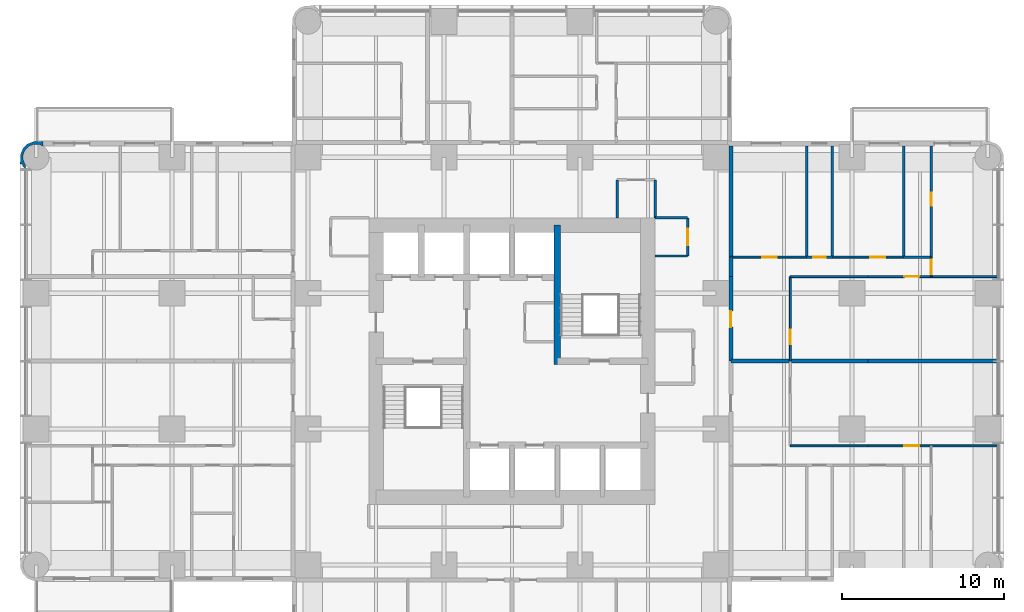
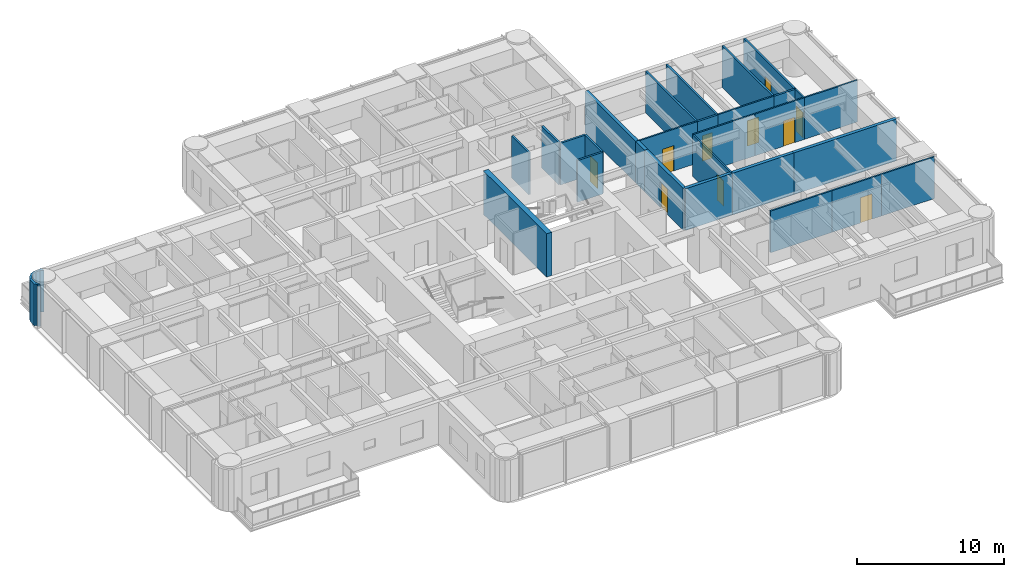
# One storey, part 10 of 14: 29 walls, 10 doors, 10 openings.
"""IFC4 building model written with IfcOpenShell, lengths in metres."""

from ifc_helpers import new_model, si_unit, direction, frame, frame_2d, origin, place, context, subcontext, project, spatial, polyline, rectangle, outline, extrude, material, layer, layer_set, type_object, element, fill, save


model = new_model("IFC4")

# Units and contexts
model_context = context("Model", 3, precision=1e-05, world=origin(), true_north=direction((0.0, 1.0)))
body_context = subcontext(model_context, "Body", "Model", "MODEL_VIEW")
ifc_project = project(units=[si_unit("LENGTHUNIT", "METRE"), si_unit("AREAUNIT", "SQUARE_METRE"), si_unit("VOLUMEUNIT", "CUBIC_METRE"), si_unit("PLANEANGLEUNIT", "RADIAN"), si_unit("MASSUNIT", "GRAM", prefix="KILO")], contexts=[model_context])

# Site, building, storey
site_placement = place(None, origin())
site = spatial("IfcSite", under=ifc_project, at=site_placement, CompositionType="ELEMENT")
building_placement = place(site_placement, origin())
building = spatial("IfcBuilding", under=site, at=building_placement, Name="Torre Alcanfor", CompositionType="ELEMENT")
storey_placement = place(building_placement, frame((0.0, 0.0, 134.10009765625)))
storey = spatial("IfcBuildingStorey", under=building, at=storey_placement, Name="L34", CompositionType="ELEMENT", Elevation=134.10009765625)

# Wall, opening, door
ifc_material_1 = material(Name="Concrete block masonry, hollow blocks NMX-C-404 9 MPa", Category="masonry")
ifc_layer_1 = layer(ifc_material_1, 0.25)
ifc_layer_set_1 = layer_set([ifc_layer_1], Name="Apartment entrance wall 250 EI 60")
wall_type_1 = type_object("IfcWallType", Name="Apartment entrance wall 250 EI 60", PredefinedType="PARTITIONING", material=ifc_layer_set_1)
wall_1_placement = place(storey_placement, frame((42.925048828125, 34.62890625, 0.0), z_axis=(0.0, 0.0, 1.0), x_axis=(0.0, -1.0, 0.0)))
wall_1 = element("IfcWall", 1, at=wall_1_placement, inside=storey, type_object=wall_type_1, Name="Partition L34-CORR / L34-E1-ZAG", PredefinedType="PARTITIONING", context=body_context, shape_type="SweptSolid", body=[
    extrude(rectangle(XDim=5.22900390625, YDim=0.25, at=frame_2d((2.614501953125, 0.0))), origin(), (0.0, 0.0, 1.0), 3.449951171875),
])
opening_1_placement = place(wall_1_placement, frame((2.12890625, 0.0, 0.0)))
opening_1 = element("IfcOpeningElement", 2, at=opening_1_placement, cuts=wall_1, Name="Opening D-A1", PredefinedType="OPENING", context=body_context, shape_type="SweptSolid", body=[
    extrude(rectangle(XDim=1.0, YDim=2.10009765625, at=frame_2d((0.5, 1.050048828125))), frame((0.0, 0.135009765625, 0.0), z_axis=(0.0, -1.0, 0.0), x_axis=(1.0, 0.0, 0.0)), (0.0, 0.0, 1.0), 0.27001953125),
])
ifc_material_2 = material(Name="Galvanised steel sheet ASTM A653", Category="steel")
door_type_1 = type_object("IfcDoorType", Name="Apartment entrance door FD60 1000x2100", OperationType="SINGLE_SWING_LEFT", PredefinedType="DOOR", material=ifc_material_2)
door_1_placement = place(opening_1_placement, origin())
door_1 = element("IfcDoor", 3, at=door_1_placement, inside=storey, type_object=door_type_1, Name="Apartment entrance L34-E1", OperationType="SINGLE_SWING_RIGHT", OverallHeight=2.10009765625, OverallWidth=1.0, PredefinedType="DOOR", context=body_context, shape_type="SweptSolid", body=[
    extrude(rectangle(XDim=1.0, YDim=2.10009765625, at=frame_2d((0.5, 1.050048828125))), frame((0.0, 0.02490234375, 0.0), z_axis=(0.0, -1.0, 0.0), x_axis=(1.0, 0.0, 0.0)), (0.0, 0.0, 1.0), 0.050048828125),
])
fill(opening_1, door_1)

# Walls
wall_2_placement = place(storey_placement, frame((42.925048828125, 35.8291015625, 0.0), z_axis=(0.0, 0.0, 1.0), x_axis=(0.0, -1.0, 0.0)))
element("IfcWall", 4, at=wall_2_placement, inside=storey, type_object=wall_type_1, Name="Partition L34-CORR / L34-E1-HALL", PredefinedType="PARTITIONING", context=body_context, shape_type="SweptSolid", body=[
    extrude(rectangle(XDim=1.2001953125, YDim=0.25, at=frame_2d((0.60009765625, 0.0))), origin(), (0.0, 0.0, 1.0), 3.449951171875),
])
wall_3_placement = place(storey_placement, frame((42.925048828125, 42.699951171875, 0.0), z_axis=(0.0, 0.0, 1.0), x_axis=(0.0, -1.0, 0.0)))
element("IfcWall", 5, at=wall_3_placement, inside=storey, type_object=wall_type_1, Name="Partition L34-CORR / L34-E1-BED3", PredefinedType="PARTITIONING", context=body_context, shape_type="SweptSolid", body=[
    extrude(rectangle(XDim=6.870849609375, YDim=0.25, at=frame_2d((3.435546875, 0.0))), origin(), (0.0, 0.0, 1.0), 3.449951171875),
])

# Wall, opening, door
ifc_material_3 = material(Name="Gypsum board on steel studs", Category="steel")
ifc_layer_2 = layer(ifc_material_3, 0.1201171875)
ifc_layer_set_2 = layer_set([ifc_layer_2], Name="Apartment partition 120")
wall_type_2 = type_object("IfcWallType", Name="Apartment partition 120", PredefinedType="PARTITIONING", material=ifc_layer_set_2)
wall_4_placement = place(storey_placement, frame((46.60009765625, 29.39990234375, 0.0), z_axis=(0.0, 0.0, 1.0), x_axis=(0.0, 1.0, 0.0)))
wall_4 = element("IfcWall", 6, at=wall_4_placement, inside=storey, type_object=wall_type_2, Name="Partition L34-E1-ZAG / L34-E1-KITCHEN", PredefinedType="PARTITIONING", context=body_context, shape_type="SweptSolid", body=[
    extrude(rectangle(XDim=5.22900390625, YDim=0.1201171875, at=frame_2d((2.614501953125, 0.0))), origin(), (0.0, 0.0, 1.0), 3.449951171875),
])
opening_2_placement = place(wall_4_placement, frame((1.050048828125, 0.0, 0.0)))
opening_2 = element("IfcOpeningElement", 7, at=opening_2_placement, cuts=wall_4, Name="Opening D-R1", PredefinedType="OPENING", context=body_context, shape_type="SweptSolid", body=[
    extrude(rectangle(XDim=0.89990234375, YDim=2.10009765625, at=frame_2d((0.449951171875, 1.050048828125))), frame((0.0, 0.070068359375, 0.0), z_axis=(0.0, -1.0, 0.0), x_axis=(1.0, 0.0, 0.0)), (0.0, 0.0, 1.0), 0.14013671875),
])
ifc_material_4 = material(Name="Timber", Category="wood")
door_type_2 = type_object("IfcDoorType", Name="Internal door 900x2100", OperationType="SINGLE_SWING_LEFT", PredefinedType="DOOR", material=ifc_material_4)
door_2_placement = place(opening_2_placement, frame((0.89990234375, 0.0, 0.0), z_axis=(0.0, 0.0, 1.0), x_axis=(-1.0, 0.0, 0.0)))
door_2 = element("IfcDoor", 8, at=door_2_placement, inside=storey, type_object=door_type_2, Name="Door L34-E1 kitchen", OperationType="SINGLE_SWING_RIGHT", OverallHeight=2.10009765625, OverallWidth=0.89990234375, PredefinedType="DOOR", context=body_context, shape_type="SweptSolid", body=[
    extrude(rectangle(XDim=0.89990234375, YDim=2.10009765625, at=frame_2d((0.449951171875, 1.050048828125))), frame((0.0, 0.025146484375, 0.0), z_axis=(0.0, -1.0, 0.0), x_axis=(1.0, 0.0, 0.0)), (0.0, 0.0, 1.0), 0.050048828125),
])
fill(opening_2, door_2)

# Wall
wall_5_placement = place(storey_placement, frame((51.39990234375, 34.62890625, 0.0), z_axis=(0.0, 0.0, 1.0), x_axis=(-1.0, 0.0, 0.0)))
element("IfcWall", 9, at=wall_5_placement, inside=storey, type_object=wall_type_2, Name="Partition L34-E1-KITCHEN / L34-E1-HALL", PredefinedType="PARTITIONING", context=body_context, shape_type="SweptSolid", body=[
    extrude(rectangle(XDim=4.7998046875, YDim=0.1201171875, at=frame_2d((2.39990234375, 0.0))), origin(), (0.0, 0.0, 1.0), 3.449951171875),
])

# Wall, opening, door
wall_6_placement = place(storey_placement, frame((55.300048828125, 34.62890625, 0.0), z_axis=(0.0, 0.0, 1.0), x_axis=(-1.0, 0.0, 0.0)))
wall_6 = element("IfcWall", 10, at=wall_6_placement, inside=storey, type_object=wall_type_2, Name="Partition L34-E1-LIVING / L34-E1-HALL", PredefinedType="PARTITIONING", context=body_context, shape_type="SweptSolid", body=[
    extrude(rectangle(XDim=3.900146484375, YDim=0.1201171875, at=frame_2d((1.9501953125, 0.0))), origin(), (0.0, 0.0, 1.0), 3.449951171875),
])
opening_3_placement = place(wall_6_placement, frame((0.75, 0.0, 0.0)))
opening_3 = element("IfcOpeningElement", 11, at=opening_3_placement, cuts=wall_6, Name="Opening D-R1", PredefinedType="OPENING", context=body_context, shape_type="SweptSolid", body=[
    extrude(rectangle(XDim=0.89990234375, YDim=2.10009765625, at=frame_2d((0.449951171875, 1.050048828125))), frame((0.0, 0.070068359375, 0.0), z_axis=(0.0, -1.0, 0.0), x_axis=(1.0, 0.0, 0.0)), (0.0, 0.0, 1.0), 0.14013671875),
])
door_3_placement = place(opening_3_placement, origin())
door_3 = element("IfcDoor", 12, at=door_3_placement, inside=storey, type_object=door_type_2, Name="Door L34-E1 living", OperationType="SINGLE_SWING_RIGHT", OverallHeight=2.10009765625, OverallWidth=0.89990234375, PredefinedType="DOOR", context=body_context, shape_type="SweptSolid", body=[
    extrude(rectangle(XDim=0.89990234375, YDim=2.10009765625, at=frame_2d((0.449951171875, 1.050048828125))), frame((0.0, 0.02490234375, 0.0), z_axis=(0.0, -1.0, 0.0), x_axis=(1.0, 0.0, 0.0)), (0.0, 0.0, 1.0), 0.050048828125),
])
fill(opening_3, door_3)

# Wall
wall_7_placement = place(storey_placement, frame((59.449951171875, 34.62890625, 0.0), z_axis=(0.0, 0.0, 1.0), x_axis=(-1.0, 0.0, 0.0)))
element("IfcWall", 13, at=wall_7_placement, inside=storey, type_object=wall_type_2, Name="Partition L34-E1-LIVING / L34-E1-MASTER", PredefinedType="PARTITIONING", context=body_context, shape_type="SweptSolid", body=[
    extrude(rectangle(XDim=4.14990234375, YDim=0.1201171875, at=frame_2d((2.074951171875, 0.0))), origin(), (0.0, 0.0, 1.0), 3.449951171875),
])

# Wall, opening, door
wall_8_placement = place(storey_placement, frame((47.60009765625, 35.8291015625, 0.0), z_axis=(0.0, 0.0, 1.0), x_axis=(-1.0, 0.0, 0.0)))
wall_8 = element("IfcWall", 14, at=wall_8_placement, inside=storey, type_object=wall_type_2, Name="Partition L34-E1-HALL / L34-E1-BED3", PredefinedType="PARTITIONING", context=body_context, shape_type="SweptSolid", body=[
    extrude(rectangle(XDim=4.675048828125, YDim=0.1201171875, at=frame_2d((2.33740234375, 0.0))), origin(), (0.0, 0.0, 1.0), 3.449951171875),
])
opening_4_placement = place(wall_8_placement, frame((1.85009765625, 0.0, 0.0)))
opening_4 = element("IfcOpeningElement", 15, at=opening_4_placement, cuts=wall_8, Name="Opening D-R1", PredefinedType="OPENING", context=body_context, shape_type="SweptSolid", body=[
    extrude(rectangle(XDim=0.89990234375, YDim=2.10009765625, at=frame_2d((0.449951171875, 1.050048828125))), frame((0.0, 0.070068359375, 0.0), z_axis=(0.0, -1.0, 0.0), x_axis=(1.0, 0.0, 0.0)), (0.0, 0.0, 1.0), 0.14013671875),
])
door_4_placement = place(opening_4_placement, frame((0.89990234375, 0.0, 0.0), z_axis=(0.0, 0.0, 1.0), x_axis=(-1.0, 0.0, 0.0)))
door_4 = element("IfcDoor", 16, at=door_4_placement, inside=storey, type_object=door_type_2, Name="Door L34-E1 bed3", OperationType="SINGLE_SWING_RIGHT", OverallHeight=2.10009765625, OverallWidth=0.89990234375, PredefinedType="DOOR", context=body_context, shape_type="SweptSolid", body=[
    extrude(rectangle(XDim=0.89990234375, YDim=2.10009765625, at=frame_2d((0.449951171875, 1.050048828125))), frame((0.0, 0.025146484375, 0.0), z_axis=(0.0, -1.0, 0.0), x_axis=(1.0, 0.0, 0.0)), (0.0, 0.0, 1.0), 0.050048828125),
])
fill(opening_4, door_4)

wall_9_placement = place(storey_placement, frame((53.60009765625, 35.8291015625, 0.0), z_axis=(0.0, 0.0, 1.0), x_axis=(-1.0, 0.0, 0.0)))
wall_9 = element("IfcWall", 17, at=wall_9_placement, inside=storey, type_object=wall_type_2, Name="Partition L34-E1-HALL / L34-E1-BED2", PredefinedType="PARTITIONING", context=body_context, shape_type="SweptSolid", body=[
    extrude(rectangle(XDim=4.400146484375, YDim=0.1201171875, at=frame_2d((2.2001953125, 0.0))), origin(), (0.0, 0.0, 1.0), 3.449951171875),
])
opening_5_placement = place(wall_9_placement, frame((1.14990234375, 0.0, 0.0)))
opening_5 = element("IfcOpeningElement", 18, at=opening_5_placement, cuts=wall_9, Name="Opening D-R1", PredefinedType="OPENING", context=body_context, shape_type="SweptSolid", body=[
    extrude(rectangle(XDim=0.89990234375, YDim=2.10009765625, at=frame_2d((0.449951171875, 1.050048828125))), frame((0.0, 0.070068359375, 0.0), z_axis=(0.0, -1.0, 0.0), x_axis=(1.0, 0.0, 0.0)), (0.0, 0.0, 1.0), 0.14013671875),
])
door_5_placement = place(opening_5_placement, frame((0.89990234375, 0.0, 0.0), z_axis=(0.0, 0.0, 1.0), x_axis=(-1.0, 0.0, 0.0)))
door_5 = element("IfcDoor", 19, at=door_5_placement, inside=storey, type_object=door_type_2, Name="Door L34-E1 bed2", OperationType="SINGLE_SWING_RIGHT", OverallHeight=2.10009765625, OverallWidth=0.89990234375, PredefinedType="DOOR", context=body_context, shape_type="SweptSolid", body=[
    extrude(rectangle(XDim=0.89990234375, YDim=2.10009765625, at=frame_2d((0.449951171875, 1.050048828125))), frame((0.0, 0.025146484375, 0.0), z_axis=(0.0, -1.0, 0.0), x_axis=(1.0, 0.0, 0.0)), (0.0, 0.0, 1.0), 0.050048828125),
])
fill(opening_5, door_5)

wall_10_placement = place(storey_placement, frame((55.300048828125, 34.62890625, 0.0), z_axis=(0.0, 0.0, 1.0), x_axis=(0.0, 1.0, 0.0)))
wall_10 = element("IfcWall", 20, at=wall_10_placement, inside=storey, type_object=wall_type_2, Name="Partition L34-E1-HALL / L34-E1-MASTER", PredefinedType="PARTITIONING", context=body_context, shape_type="SweptSolid", body=[
    extrude(rectangle(XDim=1.2001953125, YDim=0.1201171875, at=frame_2d((0.60009765625, 0.0))), origin(), (0.0, 0.0, 1.0), 3.449951171875),
])
opening_6_placement = place(wall_10_placement, frame((0.15087890625, 0.0, 0.0)))
opening_6 = element("IfcOpeningElement", 21, at=opening_6_placement, cuts=wall_10, Name="Opening D-R1", PredefinedType="OPENING", context=body_context, shape_type="SweptSolid", body=[
    extrude(rectangle(XDim=0.89990234375, YDim=2.10009765625, at=frame_2d((0.449951171875, 1.050048828125))), frame((0.0, 0.070068359375, 0.0), z_axis=(0.0, -1.0, 0.0), x_axis=(1.0, 0.0, 0.0)), (0.0, 0.0, 1.0), 0.14013671875),
])
door_6_placement = place(opening_6_placement, frame((0.89990234375, 0.0, 0.0), z_axis=(0.0, 0.0, 1.0), x_axis=(-1.0, 0.0, 0.0)))
door_6 = element("IfcDoor", 22, at=door_6_placement, inside=storey, type_object=door_type_2, Name="Door L34-E1 master", OperationType="SINGLE_SWING_RIGHT", OverallHeight=2.10009765625, OverallWidth=0.89990234375, PredefinedType="DOOR", context=body_context, shape_type="SweptSolid", body=[
    extrude(rectangle(XDim=0.89990234375, YDim=2.10009765625, at=frame_2d((0.449951171875, 1.050048828125))), frame((0.0, 0.025146484375, 0.0), z_axis=(0.0, -1.0, 0.0), x_axis=(1.0, 0.0, 0.0)), (0.0, 0.0, 1.0), 0.050048828125),
])
fill(opening_6, door_6)

# Wall
wall_11_placement = place(storey_placement, frame((51.39990234375, 24.1708984375, 0.0), z_axis=(0.0, 0.0, 1.0), x_axis=(-1.0, 0.0, 0.0)))
element("IfcWall", 23, at=wall_11_placement, inside=storey, type_object=wall_type_2, Name="Partition L34-E2-KITCHEN / L34-E2-HALL", PredefinedType="PARTITIONING", context=body_context, shape_type="SweptSolid", body=[
    extrude(rectangle(XDim=4.7998046875, YDim=0.1201171875, at=frame_2d((2.39990234375, 0.0))), origin(), (0.0, 0.0, 1.0), 3.449951171875),
])

# Wall, opening, door
wall_12_placement = place(storey_placement, frame((55.300048828125, 24.1708984375, 0.0), z_axis=(0.0, 0.0, 1.0), x_axis=(-1.0, 0.0, 0.0)))
wall_12 = element("IfcWall", 24, at=wall_12_placement, inside=storey, type_object=wall_type_2, Name="Partition L34-E2-LIVING / L34-E2-HALL", PredefinedType="PARTITIONING", context=body_context, shape_type="SweptSolid", body=[
    extrude(rectangle(XDim=3.900146484375, YDim=0.1201171875, at=frame_2d((1.9501953125, 0.0))), origin(), (0.0, 0.0, 1.0), 3.449951171875),
])
opening_7_placement = place(wall_12_placement, frame((0.75, 0.0, 0.0)))
opening_7 = element("IfcOpeningElement", 25, at=opening_7_placement, cuts=wall_12, Name="Opening D-R1", PredefinedType="OPENING", context=body_context, shape_type="SweptSolid", body=[
    extrude(rectangle(XDim=0.89990234375, YDim=2.10009765625, at=frame_2d((0.449951171875, 1.050048828125))), frame((0.0, 0.070068359375, 0.0), z_axis=(0.0, -1.0, 0.0), x_axis=(1.0, 0.0, 0.0)), (0.0, 0.0, 1.0), 0.14013671875),
])
door_7_placement = place(opening_7_placement, frame((0.89990234375, 0.0, 0.0), z_axis=(0.0, 0.0, 1.0), x_axis=(-1.0, 0.0, 0.0)))
door_7 = element("IfcDoor", 26, at=door_7_placement, inside=storey, type_object=door_type_2, Name="Door L34-E2 living", OperationType="SINGLE_SWING_LEFT", OverallHeight=2.10009765625, OverallWidth=0.89990234375, PredefinedType="DOOR", context=body_context, shape_type="SweptSolid", body=[
    extrude(rectangle(XDim=0.89990234375, YDim=2.10009765625, at=frame_2d((0.449951171875, 1.050048828125))), frame((0.0, 0.025146484375, 0.0), z_axis=(0.0, -1.0, 0.0), x_axis=(1.0, 0.0, 0.0)), (0.0, 0.0, 1.0), 0.050048828125),
])
fill(opening_7, door_7)

# Walls
wall_13_placement = place(storey_placement, frame((59.449951171875, 24.1708984375, 0.0), z_axis=(0.0, 0.0, 1.0), x_axis=(-1.0, 0.0, 0.0)))
element("IfcWall", 27, at=wall_13_placement, inside=storey, type_object=wall_type_2, Name="Partition L34-E2-LIVING / L34-E2-MASTER", PredefinedType="PARTITIONING", context=body_context, shape_type="SweptSolid", body=[
    extrude(rectangle(XDim=4.14990234375, YDim=0.1201171875, at=frame_2d((2.074951171875, 0.0))), origin(), (0.0, 0.0, 1.0), 3.449951171875),
])
ifc_material_5 = material(Name="Concrete f'c 70 MPa", Category="concrete")
ifc_layer_3 = layer(ifc_material_5, 0.39990234375)
ifc_layer_set_3 = layer_set([ifc_layer_3], Name="Core inner wall 400 f'c70")
wall_type_3 = type_object("IfcWallType", Name="Core inner wall 400 f'c70", PredefinedType="SHEAR", material=ifc_layer_set_3)
wall_14_placement = place(storey_placement, frame((32.199951171875, 29.199951171875, 0.0), z_axis=(0.0, 0.0, 1.0), x_axis=(0.0, 1.0, 0.0)))
element("IfcWall", 28, at=wall_14_placement, inside=storey, type_object=wall_type_3, Name="Core wall X322N L34", PredefinedType="SHEAR", context=body_context, shape_type="SweptSolid", body=[
    extrude(rectangle(XDim=8.60009765625, YDim=0.39990234375, at=frame_2d((4.300048828125, 0.0))), origin(), (0.0, 0.0, 1.0), 3.599853515625),
])
ifc_material_6 = material(Name="Concrete block masonry, hollow blocks NMX-C-404 9 MPa", Category="masonry")
ifc_layer_4 = layer(ifc_material_6, 0.25)
ifc_layer_set_4 = layer_set([ifc_layer_4], Name="Party wall 250 EI 60")
wall_type_4 = type_object("IfcWallType", Name="Party wall 250 EI 60", PredefinedType="PARTITIONING", material=ifc_layer_set_4)
wall_15_placement = place(storey_placement, frame((42.925048828125, 29.39990234375, 0.0), z_axis=(0.0, 0.0, 1.0), x_axis=(1.0, 0.0, 0.0)))
element("IfcWall", 29, at=wall_15_placement, inside=storey, type_object=wall_type_4, Name="Partition L34-E1-ZAG / L34-E2-ZAG", PredefinedType="PARTITIONING", context=body_context, shape_type="SweptSolid", body=[
    extrude(rectangle(XDim=3.675048828125, YDim=0.25, at=frame_2d((1.83740234375, 0.0))), origin(), (0.0, 0.0, 1.0), 3.449951171875),
])
wall_16_placement = place(storey_placement, frame((46.60009765625, 29.39990234375, 0.0), z_axis=(0.0, 0.0, 1.0), x_axis=(1.0, 0.0, 0.0)))
element("IfcWall", 30, at=wall_16_placement, inside=storey, type_object=wall_type_4, Name="Partition L34-E1-KITCHEN / L34-E2-KITCHEN", PredefinedType="PARTITIONING", context=body_context, shape_type="SweptSolid", body=[
    extrude(rectangle(XDim=4.7998046875, YDim=0.25, at=frame_2d((2.39990234375, 0.0))), origin(), (0.0, 0.0, 1.0), 3.449951171875),
])
wall_17_placement = place(storey_placement, frame((51.39990234375, 29.39990234375, 0.0), z_axis=(0.0, 0.0, 1.0), x_axis=(1.0, 0.0, 0.0)))
element("IfcWall", 31, at=wall_17_placement, inside=storey, type_object=wall_type_4, Name="Partition L34-E1-LIVING / L34-E2-LIVING", PredefinedType="PARTITIONING", context=body_context, shape_type="SweptSolid", body=[
    extrude(rectangle(XDim=8.050048828125, YDim=0.25, at=frame_2d((4.02490234375, 0.0))), origin(), (0.0, 0.0, 1.0), 3.449951171875),
])
ifc_material_7 = material(Name="Concrete block masonry, hollow blocks NMX-C-404 9 MPa", Category="masonry")
ifc_layer_5 = layer(ifc_material_7, 0.14990234375)
ifc_layer_set_5 = layer_set([ifc_layer_5], Name="Residents' room partition 150")
wall_type_5 = type_object("IfcWallType", Name="Residents' room partition 150", PredefinedType="PARTITIONING", material=ifc_layer_set_5)
for number, where, z_axis, x_axis, name in (
    (32, (38.25, 38.25, 0.0), (0.0, 0.0, 1.0), (0.0, 1.0, 0.0), "Partition L34-CORR / L34-G01"),
    (33, (35.89990234375, 40.60009765625, 0.0), (0.0, 0.0, 1.0), (0.0, -1.0, 0.0), "Partition L34-CORR / L34-G01"),
):
    element("IfcWall", number, at=place(storey_placement, frame(where, z_axis=z_axis, x_axis=x_axis)), inside=storey, type_object=wall_type_5, Name=name, PredefinedType="PARTITIONING", context=body_context, shape_type="SweptSolid", body=[
        extrude(rectangle(XDim=2.35009765625, YDim=0.14990234375, at=frame_2d((1.175048828125, 0.0))), origin(), (0.0, 0.0, 1.0), 3.449951171875),
    ])
wall_18_placement = place(storey_placement, frame((38.25, 35.89990234375, 0.0), z_axis=(0.0, 0.0, 1.0), x_axis=(1.0, 0.0, 0.0)))
element("IfcWall", 34, at=wall_18_placement, inside=storey, type_object=wall_type_5, Name="Partition L34-CORR / L34-G03", PredefinedType="PARTITIONING", context=body_context, shape_type="SweptSolid", body=[
    extrude(rectangle(XDim=2.0, YDim=0.14990234375, at=frame_2d((1.0, 0.0))), origin(), (0.0, 0.0, 1.0), 3.449951171875),
])

# Wall, opening, door
wall_19_placement = place(storey_placement, frame((40.25, 35.89990234375, 0.0), z_axis=(0.0, 0.0, 1.0), x_axis=(0.0, 1.0, 0.0)))
wall_19 = element("IfcWall", 35, at=wall_19_placement, inside=storey, type_object=wall_type_5, Name="Partition L34-CORR / L34-G03", PredefinedType="PARTITIONING", context=body_context, shape_type="SweptSolid", body=[
    extrude(rectangle(XDim=2.35009765625, YDim=0.14990234375, at=frame_2d((1.175048828125, 0.0))), origin(), (0.0, 0.0, 1.0), 3.449951171875),
])
opening_8_placement = place(wall_19_placement, frame((0.675048828125, 0.0, 0.0)))
opening_8 = element("IfcOpeningElement", 36, at=opening_8_placement, cuts=wall_19, Name="Opening D-M1", PredefinedType="OPENING", context=body_context, shape_type="SweptSolid", body=[
    extrude(rectangle(XDim=1.0, YDim=2.10009765625, at=frame_2d((0.5, 1.050048828125))), frame((0.0, 0.0849609375, 0.0), z_axis=(0.0, -1.0, 0.0), x_axis=(1.0, 0.0, 0.0)), (0.0, 0.0, 1.0), 0.169921875),
])
ifc_material_8 = material(Name="Timber", Category="wood")
door_type_3 = type_object("IfcDoorType", Name="Residents' room door 1000x2100", OperationType="SINGLE_SWING_LEFT", PredefinedType="DOOR", material=ifc_material_8)
door_8_placement = place(opening_8_placement, origin())
door_8 = element("IfcDoor", 37, at=door_8_placement, inside=storey, type_object=door_type_3, Name="Door L34-G03 residents' storage lockers", OperationType="SINGLE_SWING_LEFT", OverallHeight=2.10009765625, OverallWidth=1.0, PredefinedType="DOOR", context=body_context, shape_type="SweptSolid", body=[
    extrude(rectangle(XDim=1.0, YDim=2.10009765625, at=frame_2d((0.5, 1.050048828125))), frame((0.0, 0.02490234375, 0.0), z_axis=(0.0, -1.0, 0.0), x_axis=(1.0, 0.0, 0.0)), (0.0, 0.0, 1.0), 0.050048828125),
])
fill(opening_8, door_8)

# Walls
wall_20_placement = place(storey_placement, frame((40.25, 38.25, 0.0), z_axis=(0.0, 0.0, 1.0), x_axis=(-1.0, 0.0, 0.0)))
element("IfcWall", 38, at=wall_20_placement, inside=storey, type_object=wall_type_5, Name="Partition L34-CORR / L34-G03", PredefinedType="PARTITIONING", context=body_context, shape_type="SweptSolid", body=[
    extrude(rectangle(XDim=2.0, YDim=0.14990234375, at=frame_2d((1.0, 0.0))), origin(), (0.0, 0.0, 1.0), 3.449951171875),
])
ifc_material_9 = material(Name="Limestone cladding", Category="masonry")
ifc_layer_6 = layer(ifc_material_9, 0.0400390625, Name="Facing")
ifc_material_10 = material(Name="Ventilated air cavity")
ifc_layer_7 = layer(ifc_material_10, 0.02001953125, ventilated=True, Name="Ventilated joint")
ifc_material_11 = material(Name="Mineral wool insulation", Category="insulation")
ifc_layer_8 = layer(ifc_material_11, 0.10009765625, Name="Insulation")
ifc_material_12 = material(Name="Concrete f'c 35 MPa", Category="concrete")
ifc_layer_9 = layer(ifc_material_12, 0.139892578125, Name="Backing")
ifc_layer_set_6 = layer_set([ifc_layer_6, ifc_layer_7, ifc_layer_8, ifc_layer_9], Name="Rounded corner pier stone-clad 300")
wall_type_6 = type_object("IfcWallType", Name="Rounded corner pier stone-clad 300", PredefinedType="SOLIDWALL", material=ifc_layer_set_6)
wall_21_placement = place(storey_placement, frame((0.326823795, 42.817059488, 0.0), z_axis=(0.0, 0.0, 1.0), x_axis=(-0.93923434088, 0.343276641956, 0.0)))
element("IfcWall", 39, at=wall_21_placement, inside=storey, type_object=wall_type_6, Name="Corner pier L34 13", PredefinedType="SOLIDWALL", context=body_context, shape_type="SweptSolid", body=[
    extrude(outline(polyline([(-0.005838677930572508, -0.19691017002240385), (0.2656725893480827, -0.05504723679548061), (0.5353355739365452, 0.04351070532859805), (0.8164808166219237, 0.3019667887790936), (0.9774010351300944, 0.6482698031873169), (0.9936526519661447, 1.0298167590229048), (0.8950947098420661, 1.2994797436113674), (0.8284439015683875, 1.5984799607341533), (0.6967504599124257, 1.5690632792769885), (0.6041212101125378, 1.6695954267902182), (0.39402236502400456, 1.7672242392847775), (0.4711255170258348, 1.5562634010012864), (0.5086990809760941, 1.538803702790635), (0.7241945805605172, 1.30408163961566), (0.8334799177457201, 1.0050675818747117), (0.8201287688443563, 0.6867053603325339), (0.6856890926223405, 0.3973889179155373), (0.4509670294473655, 0.1818934183311141), (0.15195297170641725, 0.07260808114591123), (-0.11630424425966698, 0.08399689688883538), (-0.12741215805145528, 0.07811756360614214), (-0.14598588403076265, 0.07132913391902448), (-0.005838677930572508, -0.19691017002240385)])), origin(), (0.0, 0.0, 1.0), 3.449951171875),
])

# Wall, opening, door
ifc_material_13 = material(Name="Cement board on steel studs", Category="steel")
ifc_layer_10 = layer(ifc_material_13, 0.14990234375)
ifc_layer_set_7 = layer_set([ifc_layer_10], Name="Wet area partition 150")
wall_type_7 = type_object("IfcWallType", Name="Wet area partition 150", PredefinedType="PARTITIONING", material=ifc_layer_set_7)
wall_22_placement = place(storey_placement, frame((49.199951171875, 35.8291015625, 0.0), z_axis=(0.0, 0.0, 1.0), x_axis=(-1.0, 0.0, 0.0)))
wall_22 = element("IfcWall", 40, at=wall_22_placement, inside=storey, type_object=wall_type_7, Name="Partition L34-E1-HALL / L34-E1-BATH1", PredefinedType="PARTITIONING", context=body_context, shape_type="SweptSolid", body=[
    extrude(rectangle(XDim=1.599853515625, YDim=0.14990234375, at=frame_2d((0.7998046875, 0.0))), origin(), (0.0, 0.0, 1.0), 3.449951171875),
])
opening_9_placement = place(wall_22_placement, frame((0.39990234375, 0.0, 0.0)))
opening_9 = element("IfcOpeningElement", 41, at=opening_9_placement, cuts=wall_22, Name="Opening D-R2", PredefinedType="OPENING", context=body_context, shape_type="SweptSolid", body=[
    extrude(rectangle(XDim=0.800048828125, YDim=2.10009765625, at=frame_2d((0.39990234375, 1.050048828125))), frame((0.0, 0.0849609375, 0.0), z_axis=(0.0, -1.0, 0.0), x_axis=(1.0, 0.0, 0.0)), (0.0, 0.0, 1.0), 0.169921875),
])
ifc_material_14 = material(Name="Timber", Category="wood")
door_type_4 = type_object("IfcDoorType", Name="Bathroom door 800x2100", OperationType="SINGLE_SWING_LEFT", PredefinedType="DOOR", material=ifc_material_14)
door_9_placement = place(opening_9_placement, frame((0.800048828125, 0.0, 0.0), z_axis=(0.0, 0.0, 1.0), x_axis=(-1.0, 0.0, 0.0)))
door_9 = element("IfcDoor", 42, at=door_9_placement, inside=storey, type_object=door_type_4, Name="Door L34-E1 bath1", OperationType="SINGLE_SWING_RIGHT", OverallHeight=2.10009765625, OverallWidth=0.800048828125, PredefinedType="DOOR", context=body_context, shape_type="SweptSolid", body=[
    extrude(rectangle(XDim=0.800048828125, YDim=2.10009765625, at=frame_2d((0.400146484375, 1.050048828125))), frame((0.0, 0.025146484375, 0.0), z_axis=(0.0, -1.0, 0.0), x_axis=(1.0, 0.0, 0.0)), (0.0, 0.0, 1.0), 0.050048828125),
])
fill(opening_9, door_9)

# Walls
wall_23_placement = place(storey_placement, frame((55.300048828125, 35.8291015625, 0.0), z_axis=(0.0, 0.0, 1.0), x_axis=(-1.0, 0.0, 0.0)))
element("IfcWall", 43, at=wall_23_placement, inside=storey, type_object=wall_type_7, Name="Partition L34-E1-HALL / L34-E1-ENSBATH", PredefinedType="PARTITIONING", context=body_context, shape_type="SweptSolid", body=[
    extrude(rectangle(XDim=1.699951171875, YDim=0.14990234375, at=frame_2d((0.85009765625, 0.0))), origin(), (0.0, 0.0, 1.0), 3.449951171875),
])
for number, where, z_axis, x_axis, name in (
    (44, (47.60009765625, 35.8291015625, 0.0), (0.0, 0.0, 1.0), (0.0, 1.0, 0.0), "Partition L34-E1-BED3 / L34-E1-BATH1"),
    (45, (49.199951171875, 35.8291015625, 0.0), (0.0, 0.0, 1.0), (0.0, 1.0, 0.0), "Partition L34-E1-BATH1 / L34-E1-BED2"),
    (46, (53.60009765625, 35.8291015625, 0.0), (0.0, 0.0, 1.0), (0.0, 1.0, 0.0), "Partition L34-E1-BED2 / L34-E1-ENSBATH"),
):
    element("IfcWall", number, at=place(storey_placement, frame(where, z_axis=z_axis, x_axis=x_axis)), inside=storey, type_object=wall_type_7, Name=name, PredefinedType="PARTITIONING", context=body_context, shape_type="SweptSolid", body=[
        extrude(rectangle(XDim=6.870849609375, YDim=0.14990234375, at=frame_2d((3.435546875, 0.0))), origin(), (0.0, 0.0, 1.0), 3.449951171875),
    ])

# Wall, opening, door
wall_24_placement = place(storey_placement, frame((55.300048828125, 35.8291015625, 0.0), z_axis=(0.0, 0.0, 1.0), x_axis=(0.0, 1.0, 0.0)))
wall_24 = element("IfcWall", 47, at=wall_24_placement, inside=storey, type_object=wall_type_7, Name="Partition L34-E1-ENSBATH / L34-E1-MASTER", PredefinedType="PARTITIONING", context=body_context, shape_type="SweptSolid", body=[
    extrude(rectangle(XDim=6.870849609375, YDim=0.14990234375, at=frame_2d((3.435546875, 0.0))), origin(), (0.0, 0.0, 1.0), 3.449951171875),
])
opening_10_placement = place(wall_24_placement, frame((3.1708984375, 0.0, 0.0)))
opening_10 = element("IfcOpeningElement", 48, at=opening_10_placement, cuts=wall_24, Name="Opening D-R2", PredefinedType="OPENING", context=body_context, shape_type="SweptSolid", body=[
    extrude(rectangle(XDim=0.800048828125, YDim=2.10009765625, at=frame_2d((0.39990234375, 1.050048828125))), frame((0.0, 0.0849609375, 0.0), z_axis=(0.0, -1.0, 0.0), x_axis=(1.0, 0.0, 0.0)), (0.0, 0.0, 1.0), 0.169921875),
])
door_10_placement = place(opening_10_placement, origin())
door_10 = element("IfcDoor", 49, at=door_10_placement, inside=storey, type_object=door_type_4, Name="Door L34-E1 ensbath", OperationType="SINGLE_SWING_RIGHT", OverallHeight=2.10009765625, OverallWidth=0.800048828125, PredefinedType="DOOR", context=body_context, shape_type="SweptSolid", body=[
    extrude(rectangle(XDim=0.800048828125, YDim=2.10009765625, at=frame_2d((0.39990234375, 1.050048828125))), frame((0.0, 0.02490234375, 0.0), z_axis=(0.0, -1.0, 0.0), x_axis=(1.0, 0.0, 0.0)), (0.0, 0.0, 1.0), 0.050048828125),
])
fill(opening_10, door_10)

save(model, "model.ifc")
